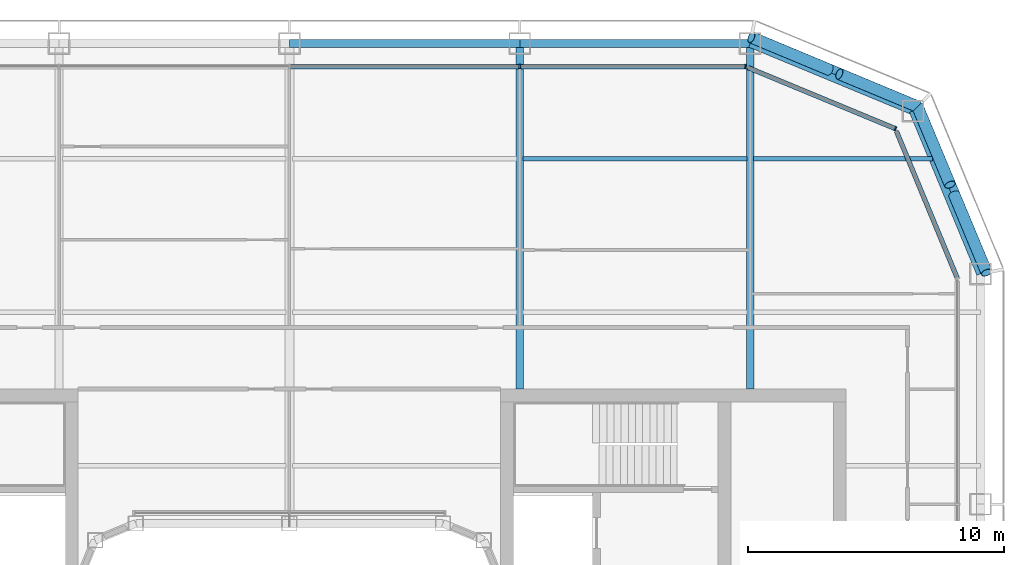
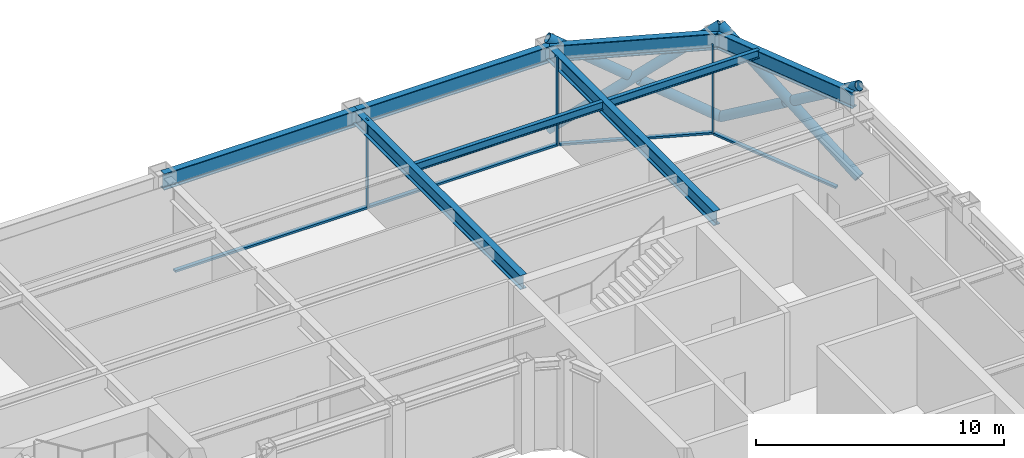
# One storey, part 10 of 24: 13 members, 8 beams, 3 elements without a shape of their own.
"""IFC4 building model written with IfcOpenShell, lengths in metres."""

from ifc_helpers import new_model, si_unit, direction, frame, origin, origin_2d, place, context, subcontext, project, spatial, rectangle, hollow_circle, i_section, extrude, material, layer, layer_set, material_profile, profile_set, type_object, element, aggregate, save


model = new_model("IFC4")

# Units and contexts
model_context = context("Model", 3, precision=1e-05, world=origin(), true_north=direction((0.0, 1.0)))
body_context = subcontext(model_context, "Body", "Model", "MODEL_VIEW")
ifc_project = project(units=[si_unit("LENGTHUNIT", "METRE"), si_unit("AREAUNIT", "SQUARE_METRE"), si_unit("VOLUMEUNIT", "CUBIC_METRE"), si_unit("PLANEANGLEUNIT", "RADIAN"), si_unit("MASSUNIT", "GRAM", prefix="KILO")], contexts=[model_context])

# Site, building, storey
site_placement = place(None, origin())
site = spatial("IfcSite", under=ifc_project, at=site_placement, CompositionType="ELEMENT")
building_placement = place(site_placement, origin())
building = spatial("IfcBuilding", under=site, at=building_placement, Name="Siwar Civic Tower", CompositionType="ELEMENT")
storey_placement = place(building_placement, frame((0.0, 0.0, 215.199951171875)))
storey = spatial("IfcBuildingStorey", under=building, at=storey_placement, Name="L46", CompositionType="ELEMENT", Elevation=215.199951171875)

# Curtain wall, member
ifc_material_1 = material(Name="Aluminium clad insulated panel", Category="aluminium")
ifc_layer_1 = layer(ifc_material_1, 0.179931640625)
ifc_layer_set_1 = layer_set([ifc_layer_1], Name="Aluminium clad insulated panel")
curtain_wall_type_1 = type_object("IfcCurtainWallType", Name="ENV-CW-CX", PredefinedType="NOTDEFINED", material=ifc_layer_set_1)
curtain_wall_1_placement = place(storey_placement, origin())
curtain_wall_1 = element("IfcCurtainWall", 1, at=curtain_wall_1_placement, inside=storey, type_object=curtain_wall_type_1, Name="Curtain wall C NE2", PredefinedType="NOTDEFINED")
ifc_material_2 = material(Name="Aluminium 6063-T6", Category="aluminium")
ifc_material_profile_1 = material_profile(ifc_material_2, rectangle(XDim=0.179931640625, YDim=0.06005859375, at=origin_2d()), Name="AL 180x60")
ifc_profile_set_1 = profile_set([ifc_material_profile_1], Name="Aluminium 6063-T6")
member_type_1 = type_object("IfcMemberType", Name="ENV-MULLION-C", PredefinedType="MULLION", material=ifc_profile_set_1)
member_1_placement = place(storey_placement, frame((23.675048828125, 23.675048828125, 0.0), z_axis=(0.0, 0.0, 1.0), x_axis=(-0.382683432365, -0.923879532511, 0.0)))
member_1 = element("IfcMember", 2, at=member_1_placement, type_object=member_type_1, Name="Mullion C NE2 1", PredefinedType="MULLION", context=body_context, shape_type="SweptSolid", body=[
    extrude(rectangle(XDim=0.179931640625, YDim=0.06005859375, at=origin_2d()), origin(), (0.0, 0.0, 1.0), 4.35009765625),
])

# Curtain wall, members
ifc_material_3 = material(Name="Aluminium and glass", Category="aluminium")
ifc_layer_2 = layer(ifc_material_3, 0.179931640625)
ifc_layer_set_2 = layer_set([ifc_layer_2], Name="Aluminium and glass")
curtain_wall_type_2 = type_object("IfcCurtainWallType", Name="ENV-CW-C", PredefinedType="NOTDEFINED", material=ifc_layer_set_2)
curtain_wall_2_placement = place(storey_placement, origin())
curtain_wall_2 = element("IfcCurtainWall", 3, at=curtain_wall_2_placement, inside=storey, type_object=curtain_wall_type_2, Name="Curtain wall C N", PredefinedType="NOTDEFINED")
member_2_placement = place(storey_placement, frame((17.821044921875, 26.10009765625, 0.0), z_axis=(0.0, 0.0, 1.0), x_axis=(0.0, -1.0, 0.0)))
member_2 = element("IfcMember", 4, at=member_2_placement, type_object=member_type_1, Name="Mullion C N 1", PredefinedType="MULLION", context=body_context, shape_type="SweptSolid", body=[
    extrude(rectangle(XDim=0.179931640625, YDim=0.06005859375, at=origin_2d()), origin(), (0.0, 0.0, 1.0), 4.35009765625),
])
member_3_placement = place(storey_placement, frame((9.0, 26.10009765625, 0.0), z_axis=(0.0, 0.0, 1.0), x_axis=(0.0, -1.0, 0.0)))
member_3 = element("IfcMember", 5, at=member_3_placement, type_object=member_type_1, Name="Mullion C N 2", PredefinedType="MULLION", context=body_context, shape_type="SweptSolid", body=[
    extrude(rectangle(XDim=0.179931640625, YDim=0.06005859375, at=origin_2d()), origin(), (0.0, 0.0, 1.0), 4.35009765625),
])

# Curtain wall, member
curtain_wall_3_placement = place(storey_placement, origin())
curtain_wall_3 = element("IfcCurtainWall", 6, at=curtain_wall_3_placement, inside=storey, type_object=curtain_wall_type_1, Name="Curtain wall C NE1", PredefinedType="NOTDEFINED")
ifc_material_4 = material(Name="Aluminium 6063-T6", Category="aluminium")
ifc_material_profile_2 = material_profile(ifc_material_4, rectangle(XDim=0.179931640625, YDim=0.10009765625, at=origin_2d()), Name="AL 180x100")
ifc_profile_set_2 = profile_set([ifc_material_profile_2], Name="Aluminium 6063-T6")
member_type_2 = type_object("IfcMemberType", Name="ENV-TRANSOM-C", PredefinedType="USERDEFINED", material=ifc_profile_set_2)
member_4_placement = place(storey_placement, frame((26.088623046875, 17.8486328125, 0.050048828125), z_axis=(-0.38267744817, 0.923882011223, 0.0), x_axis=(-0.923882011223, -0.38267744817, 0.0)))
member_4 = element("IfcMember", 7, at=member_4_placement, type_object=member_type_2, Name="Transom C NE1 1", ObjectType="TRANSOM", PredefinedType="USERDEFINED", context=body_context, shape_type="SweptSolid", body=[
    extrude(rectangle(XDim=0.179931640625, YDim=0.10009765625, at=origin_2d()), origin(), (0.0, 0.0, 1.0), 6.201904296875),
])
aggregate(curtain_wall_3, [member_4])

# Member
member_5_placement = place(storey_placement, frame((23.6474609375, 23.6865234375, 0.050048828125), z_axis=(-0.923876246063, 0.382691366456, 0.0), x_axis=(-0.382691366456, -0.923876246063, 0.0)))
member_5 = element("IfcMember", 8, at=member_5_placement, type_object=member_type_2, Name="Transom C NE2 1", ObjectType="TRANSOM", PredefinedType="USERDEFINED", context=body_context, shape_type="SweptSolid", body=[
    extrude(rectangle(XDim=0.179931640625, YDim=0.10009765625, at=origin_2d()), origin(), (0.0, 0.0, 1.0), 6.20166015625),
])

aggregate(curtain_wall_1, [member_1, member_5])

member_6_placement = place(storey_placement, frame((17.791015625, 26.10009765625, 0.050048828125), z_axis=(-1.0, 0.0, 0.0), x_axis=(0.0, -1.0, 0.0)))
member_6 = element("IfcMember", 9, at=member_6_placement, type_object=member_type_2, Name="Transom C N 1", ObjectType="TRANSOM", PredefinedType="USERDEFINED", context=body_context, shape_type="SweptSolid", body=[
    extrude(rectangle(XDim=0.179931640625, YDim=0.10009765625, at=origin_2d()), origin(), (0.0, 0.0, 1.0), 8.760986328125),
])

member_7_placement = place(storey_placement, frame((8.969970703125, 26.10009765625, 0.050048828125), z_axis=(-1.0, 0.0, 0.0), x_axis=(0.0, -1.0, 0.0)))
member_7 = element("IfcMember", 10, at=member_7_placement, type_object=member_type_2, Name="Transom C N 2", ObjectType="TRANSOM", PredefinedType="USERDEFINED", context=body_context, shape_type="SweptSolid", body=[
    extrude(rectangle(XDim=0.179931640625, YDim=0.10009765625, at=origin_2d()), origin(), (0.0, 0.0, 1.0), 8.93994140625),
])

aggregate(curtain_wall_2, [member_2, member_3, member_6, member_7])

# Members
ifc_material_5 = material(Name="Steel S355", Category="steel")
ifc_material_profile_3 = material_profile(ifc_material_5, hollow_circle(Radius=0.228515625, WallThickness=0.02001953125, at=origin_2d()), Name="CHS457x20")
ifc_profile_set_3 = profile_set([ifc_material_profile_3], Name="Steel S355")
member_type_3 = type_object("IfcMemberType", Name="STR-BR-CHS457x20", PredefinedType="BRACE", material=ifc_profile_set_3)
member_8_placement = place(storey_placement, frame((18.048828125, 27.2451171875, 0.0), z_axis=(0.777554562952, -0.323905527954, 0.538975055633), x_axis=(0.384538969033, 0.923108759191, 0.0)))
element("IfcMember", 11, at=member_8_placement, inside=storey, type_object=member_type_3, Name="L46/brc/CNE1-6-0-1", PredefinedType="BRACE", context=body_context, shape_type="SweptSolid", body=[
    extrude(hollow_circle(Radius=0.228515625, WallThickness=0.02001953125, at=origin_2d()), origin(), (0.0, 0.0, 1.0), 8.34912109375),
])
for number, where, z_axis, x_axis, name in (
    (12, (24.540771484375, 24.540771484375, 0.0), (-0.777546448489, 0.323884455881, 0.538999424564), (-0.38452107079, -0.92311621485, 0.0), "L46/brc/CNE1-6-0-2"),
    (13, (21.10302734375, 25.972900390625, 2.383056640625), (-0.777572496853, 0.323895306243, 0.538955325357), (-0.38452107079, -0.92311621485, 0.0), "L46/brc/CNE1-6-0-3"),
):
    element("IfcMember", number, at=place(storey_placement, frame(where, z_axis=z_axis, x_axis=x_axis)), inside=storey, type_object=member_type_3, Name=name, PredefinedType="BRACE", context=body_context, shape_type="SweptSolid", body=[
        extrude(hollow_circle(Radius=0.228515625, WallThickness=0.02001953125, at=origin_2d()), origin(), (0.0, 0.0, 1.0), 3.927978515625),
    ])
member_9_placement = place(storey_placement, frame((27.2451171875, 18.048828125, 0.0), z_axis=(-0.323905527954, 0.777554562952, 0.538975055633), x_axis=(-0.923108759191, -0.384538969033, 0.0)))
element("IfcMember", 14, at=member_9_placement, inside=storey, type_object=member_type_3, Name="L46/brc/CNE1-6-0-0", PredefinedType="BRACE", context=body_context, shape_type="SweptSolid", body=[
    extrude(hollow_circle(Radius=0.228515625, WallThickness=0.02001953125, at=origin_2d()), origin(), (0.0, 0.0, 1.0), 8.34912109375),
])
for number, where, z_axis, x_axis, name in (
    (15, (24.540771484375, 24.540771484375, 0.0), (0.323884455881, -0.777546448489, 0.538999424564), (0.92311621485, 0.38452107079, 0.0), "L46/brc/CNE1-6-0-4"),
    (16, (25.972900390625, 21.10302734375, 2.383056640625), (0.323895306243, -0.777572496853, 0.538955325357), (0.92311621485, 0.38452107079, 0.0), "L46/brc/CNE1-6-0-5"),
):
    element("IfcMember", number, at=place(storey_placement, frame(where, z_axis=z_axis, x_axis=x_axis)), inside=storey, type_object=member_type_3, Name=name, PredefinedType="BRACE", context=body_context, shape_type="SweptSolid", body=[
        extrude(hollow_circle(Radius=0.228515625, WallThickness=0.02001953125, at=origin_2d()), origin(), (0.0, 0.0, 1.0), 3.927978515625),
    ])

# Beams
ifc_material_6 = material(Name="Steel S355", Category="steel")
ifc_material_profile_4 = material_profile(ifc_material_6, i_section(OverallWidth=0.179931640625, OverallDepth=0.39990234375, WebThickness=0.008544921875, FlangeThickness=0.013427734375, FilletRadius=0.02099609375, at=origin_2d()), Name="IPE400")
ifc_profile_set_4 = profile_set([ifc_material_profile_4], Name="Steel S355")
beam_type_1 = type_object("IfcBeamType", Name="STR-FB-IPE400", PredefinedType="JOIST", material=ifc_profile_set_4)
beam_1_placement = place(storey_placement, frame((9.1298828125, 22.5, 4.150146484375), z_axis=(1.0, 0.0, 0.0), x_axis=(0.0, 1.0, 0.0)))
element("IfcBeam", 17, at=beam_1_placement, inside=storey, type_object=beam_type_1, Name="L46/bm/F041", PredefinedType="JOIST", context=body_context, shape_type="SweptSolid", body=[
    extrude(i_section(OverallWidth=0.179931640625, OverallDepth=0.39990234375, WebThickness=0.008544921875, FlangeThickness=0.013427734375, FilletRadius=0.02099609375, at=origin_2d()), origin(), (0.0, 0.0, 1.0), 8.740234375),
])
beam_2_placement = place(storey_placement, frame((18.1298828125, 22.5, 4.150146484375), z_axis=(1.0, 0.0, 0.0), x_axis=(0.0, 1.0, 0.0)))
element("IfcBeam", 18, at=beam_2_placement, inside=storey, type_object=beam_type_1, Name="L46/bm/F042", PredefinedType="JOIST", context=body_context, shape_type="SweptSolid", body=[
    extrude(i_section(OverallWidth=0.179931640625, OverallDepth=0.39990234375, WebThickness=0.008544921875, FlangeThickness=0.013427734375, FilletRadius=0.02099609375, at=origin_2d()), origin(), (0.0, 0.0, 1.0), 7.006103515625),
])
ifc_material_7 = material(Name="Steel S355", Category="steel")
ifc_material_profile_5 = material_profile(ifc_material_7, i_section(OverallWidth=0.300048828125, OverallDepth=0.699951171875, WebThickness=0.01708984375, FlangeThickness=0.031982421875, FilletRadius=0.027099609375, at=origin_2d()), Name="HEB700")
ifc_profile_set_5 = profile_set([ifc_material_profile_5], Name="Steel S355")
beam_type_2 = type_object("IfcBeamType", Name="STR-PG-HEB700", PredefinedType="BEAM", material=ifc_profile_set_5)
for number, where, z_axis, x_axis, name in (
    (19, (9.0, 13.5, 4.0), (0.0, 1.0, 0.0), (-1.0, 0.0, 0.0), "L46/bm/G08"),
    (20, (18.0, 13.5, 4.0), (0.0, 1.0, 0.0), (-1.0, 0.0, 0.0), "L46/bm/G10"),
):
    element("IfcBeam", number, at=place(storey_placement, frame(where, z_axis=z_axis, x_axis=x_axis)), inside=storey, type_object=beam_type_2, Name=name, PredefinedType="BEAM", context=body_context, shape_type="SweptSolid", body=[
        extrude(i_section(OverallWidth=0.300048828125, OverallDepth=0.699951171875, WebThickness=0.01708984375, FlangeThickness=0.031982421875, FilletRadius=0.027099609375, at=origin_2d()), origin(), (0.0, 0.0, 1.0), 13.5),
    ])
ifc_material_8 = material(Name="Steel S355", Category="steel")
ifc_material_profile_6 = material_profile(ifc_material_8, i_section(OverallWidth=0.300048828125, OverallDepth=0.800048828125, WebThickness=0.017578125, FlangeThickness=0.032958984375, FilletRadius=0.030029296875, at=origin_2d()), Name="HEB800")
ifc_profile_set_6 = profile_set([ifc_material_profile_6], Name="Steel S355")
beam_type_3 = type_object("IfcBeamType", Name="STR-SB-HEB800", PredefinedType="BEAM", material=ifc_profile_set_6)
for number, where, z_axis, x_axis, name in (
    (21, (27.0, 18.0, 3.949951171875), (-0.382674207535, 0.923883353507, 0.0), (-0.923883353507, -0.382674207535, 0.0), "L46/bm/SNE1-0"),
    (22, (24.364013671875, 24.364013671875, 3.949951171875), (-0.923883353507, 0.382674207535, 0.0), (-0.382674207535, -0.923883353507, 0.0), "L46/bm/SNE2-0"),
):
    element("IfcBeam", number, at=place(storey_placement, frame(where, z_axis=z_axis, x_axis=x_axis)), inside=storey, type_object=beam_type_3, Name=name, PredefinedType="BEAM", context=body_context, shape_type="SweptSolid", body=[
        extrude(i_section(OverallWidth=0.300048828125, OverallDepth=0.800048828125, WebThickness=0.017578125, FlangeThickness=0.032958984375, FilletRadius=0.030029296875, at=origin_2d()), origin(), (0.0, 0.0, 1.0), 6.888427734375),
    ])
for number, where, z_axis, x_axis, name in (
    (23, (18.0, 27.0, 3.949951171875), (-1.0, 0.0, 0.0), (0.0, -1.0, 0.0), "L46/bm/SN-0"),
    (24, (9.0, 27.0, 3.949951171875), (-1.0, 0.0, 0.0), (0.0, -1.0, 0.0), "L46/bm/SN-1"),
):
    element("IfcBeam", number, at=place(storey_placement, frame(where, z_axis=z_axis, x_axis=x_axis)), inside=storey, type_object=beam_type_3, Name=name, PredefinedType="BEAM", context=body_context, shape_type="SweptSolid", body=[
        extrude(i_section(OverallWidth=0.300048828125, OverallDepth=0.800048828125, WebThickness=0.017578125, FlangeThickness=0.032958984375, FilletRadius=0.030029296875, at=origin_2d()), origin(), (0.0, 0.0, 1.0), 9.0),
    ])

save(model, "model.ifc")
